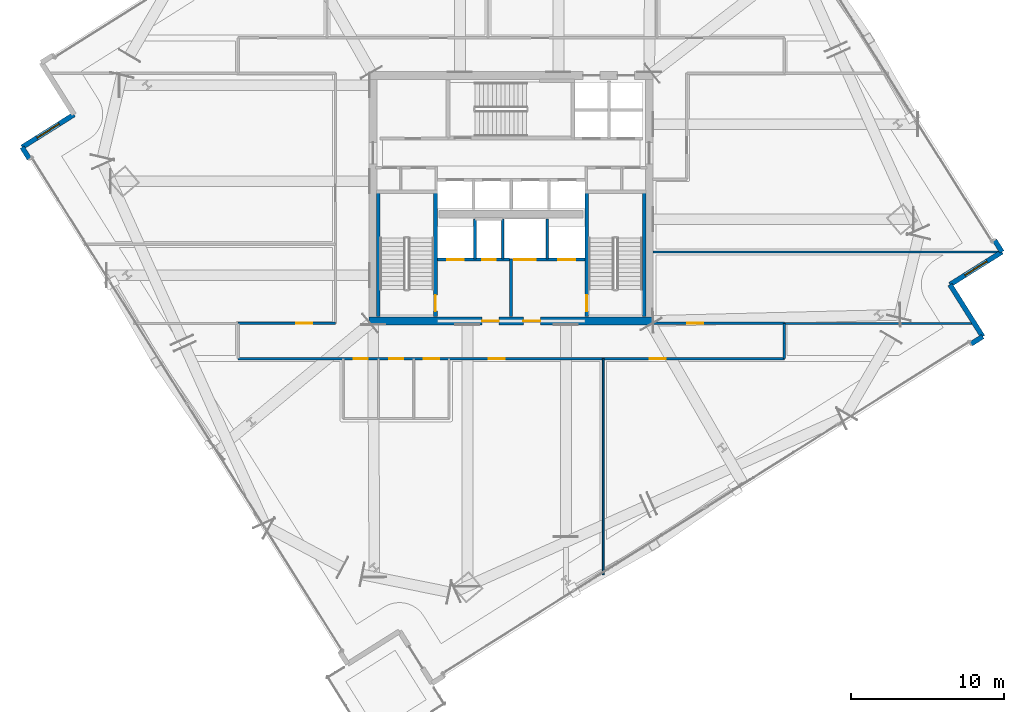
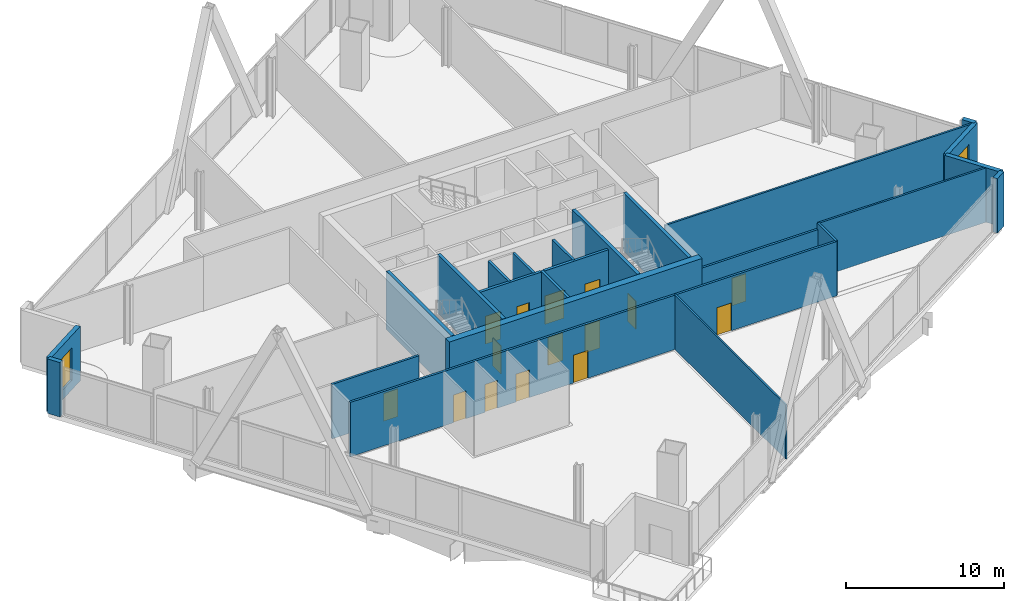
# One storey, part 22 of 29: 24 walls, 15 doors, 2 windows, 17 openings.
"""IFC4 building model written with IfcOpenShell, lengths in metres."""

from ifc_helpers import new_model, si_unit, direction, frame, frame_2d, origin, place, context, subcontext, project, spatial, rectangle, extrude, material, layer, layer_set, type_object, element, fill, save


model = new_model("IFC4")

# Units and contexts
model_context = context("Model", 3, precision=1e-05, world=origin(), true_north=direction((0.0, 1.0)))
body_context = subcontext(model_context, "Body", "Model", "MODEL_VIEW")
ifc_project = project(units=[si_unit("LENGTHUNIT", "METRE"), si_unit("AREAUNIT", "SQUARE_METRE"), si_unit("VOLUMEUNIT", "CUBIC_METRE"), si_unit("PLANEANGLEUNIT", "RADIAN"), si_unit("MASSUNIT", "GRAM", prefix="KILO")], contexts=[model_context])

# Site, building, storey
site_placement = place(None, origin())
site = spatial("IfcSite", under=ifc_project, at=site_placement, CompositionType="ELEMENT")
building_placement = place(site_placement, origin())
building = spatial("IfcBuilding", under=site, at=building_placement, Name="Haldenkirk Collegiate Tower", CompositionType="ELEMENT")
storey_placement = place(building_placement, frame((0.0, 0.0, 136.199951171875)))
storey = spatial("IfcBuildingStorey", under=building, at=storey_placement, Name="L33", CompositionType="ELEMENT", Elevation=136.199951171875)

# Wall, openings, doors
ifc_material_1 = material(Name="Concrete f'c 55 MPa", Category="concrete")
ifc_layer_1 = layer(ifc_material_1, 0.5)
ifc_layer_set_1 = layer_set([ifc_layer_1], Name="Concrete f'c 55 MPa")
wall_type_1 = type_object("IfcWallType", Name="WL-CORE-500", PredefinedType="SHEAR", material=ifc_layer_set_1)
wall_1_placement = place(storey_placement, frame((26.75, 18.0, 0.0), z_axis=(0.0, 0.0, 1.0), x_axis=(1.0, 0.0, 0.0)))
wall_1 = element("IfcWall", 1, at=wall_1_placement, inside=storey, type_object=wall_type_1, Name="L33 central core shear wall S", PredefinedType="SHEAR", context=body_context, shape_type="SweptSolid", body=[
    extrude(rectangle(XDim=18.5, YDim=0.5, at=frame_2d((9.25, 0.0))), origin(), (0.0, 0.0, 1.0), 4.5),
])
opening_1_placement = place(wall_1_placement, frame((7.35009765625, 0.0, 0.0)))
opening_1 = element("IfcOpeningElement", 2, at=opening_1_placement, cuts=wall_1, Name="Opening D-02", PredefinedType="OPENING", context=body_context, shape_type="SweptSolid", body=[
    extrude(rectangle(XDim=1.10009765625, YDim=2.14990234375, at=frame_2d((0.550048828125, 1.074951171875))), frame((0.0, 0.260009765625, 0.0), z_axis=(0.0, -1.0, 0.0), x_axis=(1.0, 0.0, 0.0)), (0.0, 0.0, 1.0), 0.52001953125),
])
opening_2_placement = place(wall_1_placement, frame((10.050048828125, 0.0, 0.0)))
opening_2 = element("IfcOpeningElement", 3, at=opening_2_placement, cuts=wall_1, Name="Opening D-02", PredefinedType="OPENING", context=body_context, shape_type="SweptSolid", body=[
    extrude(rectangle(XDim=1.10009765625, YDim=2.14990234375, at=frame_2d((0.550048828125, 1.074951171875))), frame((0.0, 0.260009765625, 0.0), z_axis=(0.0, -1.0, 0.0), x_axis=(1.0, 0.0, 0.0)), (0.0, 0.0, 1.0), 0.52001953125),
])
ifc_material_2 = material(Name="Galvanized fire-rated hollow steel door", Category="steel")
ifc_layer_2 = layer(ifc_material_2, 0.06005859375)
ifc_layer_set_2 = layer_set([ifc_layer_2], Name="Galvanized fire-rated hollow steel door")
door_type_1 = type_object("IfcDoorType", Name="DR-STAIR-FD90-1100", OperationType="NOTDEFINED", PredefinedType="DOOR", material=ifc_layer_set_2)
door_1_placement = place(opening_1_placement, origin())
door_1 = element("IfcDoor", 4, at=door_1_placement, inside=storey, type_object=door_type_1, Name="L33 Firefighting Lobby 1 door", OperationType="SINGLE_SWING_RIGHT", OverallHeight=2.14990234375, OverallWidth=1.10009765625, PredefinedType="DOOR", context=body_context, shape_type="SweptSolid", body=[
    extrude(rectangle(XDim=1.10009765625, YDim=2.14990234375, at=frame_2d((0.550048828125, 1.074951171875))), frame((0.0, 0.02490234375, 0.0), z_axis=(0.0, -1.0, 0.0), x_axis=(1.0, 0.0, 0.0)), (0.0, 0.0, 1.0), 0.050048828125),
])
fill(opening_1, door_1)
door_2_placement = place(opening_2_placement, origin())
door_2 = element("IfcDoor", 5, at=door_2_placement, inside=storey, type_object=door_type_1, Name="L33 Firefighting Lobby 2 door", OperationType="SINGLE_SWING_LEFT", OverallHeight=2.14990234375, OverallWidth=1.10009765625, PredefinedType="DOOR", context=body_context, shape_type="SweptSolid", body=[
    extrude(rectangle(XDim=1.10009765625, YDim=2.14990234375, at=frame_2d((0.550048828125, 1.074951171875))), frame((0.0, 0.02490234375, 0.0), z_axis=(0.0, -1.0, 0.0), x_axis=(1.0, 0.0, 0.0)), (0.0, 0.0, 1.0), 0.050048828125),
])
fill(opening_2, door_2)

# Walls
ifc_material_3 = material(Name="Precast concrete f'c 40 MPa", Category="concrete")
ifc_layer_3 = layer(ifc_material_3, 0.320068359375)
ifc_layer_set_3 = layer_set([ifc_layer_3], Name="Precast concrete f'c 40 MPa")
wall_type_2 = type_object("IfcWallType", Name="WL-EXT-TWR-320", PredefinedType="STANDARD", material=ifc_layer_set_3)
wall_2_placement = place(storey_placement, frame((66.728271484375, 16.98828125, 0.0), z_axis=(0.0, 0.0, 1.0), x_axis=(-0.846210185892, -0.532849248186, 0.0)))
element("IfcWall", 6, at=wall_2_placement, inside=storey, type_object=wall_type_2, Name="L33 precast corner pier SL", PredefinedType="STANDARD", context=body_context, shape_type="SweptSolid", body=[
    extrude(rectangle(XDim=0.89990234375, YDim=0.320068359375, at=frame_2d((0.449951171875, 0.0))), origin(), (0.0, 0.0, 1.0), 4.2099609375),
])
wall_3_placement = place(storey_placement, frame((64.5966796875, 20.373046875, 0.0), z_axis=(0.0, 0.0, 1.0), x_axis=(0.532892588268, -0.846182893569, 0.0)))
element("IfcWall", 7, at=wall_3_placement, inside=storey, type_object=wall_type_2, Name="L33 bronze precast notch wall 02", PredefinedType="STANDARD", context=body_context, shape_type="SweptSolid", body=[
    extrude(rectangle(XDim=4.0, YDim=0.320068359375, at=frame_2d((2.0, 0.0))), origin(), (0.0, 0.0, 1.0), 4.2099609375),
])

# Wall, opening, window
wall_4_placement = place(storey_placement, frame((67.981689453125, 22.504638671875, 0.0), z_axis=(0.0, 0.0, 1.0), x_axis=(-0.846200224481, -0.532865067432, 0.0)))
wall_4 = element("IfcWall", 8, at=wall_4_placement, inside=storey, type_object=wall_type_2, Name="L33 bronze precast notch wall 03", PredefinedType="STANDARD", context=body_context, shape_type="SweptSolid", body=[
    extrude(rectangle(XDim=4.000244140625, YDim=0.320068359375, at=frame_2d((2.0, 0.0))), origin(), (0.0, 0.0, 1.0), 4.2099609375),
])
opening_3_placement = place(wall_4_placement, frame((1.14990234375, 0.0, 0.75)))
opening_3 = element("IfcOpeningElement", 9, at=opening_3_placement, cuts=wall_4, Name="Opening W-09", PredefinedType="OPENING", context=body_context, shape_type="SweptSolid", body=[
    extrude(rectangle(XDim=1.699951171875, YDim=2.5, at=frame_2d((0.85009765625, 1.25))), frame((0.0, 0.169921875, 0.0), z_axis=(0.0, -1.0, 0.0), x_axis=(1.0, 0.0, 0.0)), (0.0, 0.0, 1.0), 0.340087890625),
])
ifc_material_4 = material(Name="Low-E argon triple insulating glass", Category="glass")
ifc_layer_4 = layer(ifc_material_4, 0.090087890625)
ifc_layer_set_4 = layer_set([ifc_layer_4], Name="Low-E argon triple insulating glass")
window_type = type_object("IfcWindowType", Name="WN-SG-1700X2500", PartitioningType="SINGLE_PANEL", PredefinedType="WINDOW", material=ifc_layer_set_4)
window_1_placement = place(opening_3_placement, origin())
window_1 = element("IfcWindow", 10, at=window_1_placement, inside=storey, type_object=window_type, Name="L33 precast-frame academic window 2", OverallHeight=2.5, OverallWidth=1.699951171875, PartitioningType="SINGLE_PANEL", PredefinedType="WINDOW", context=body_context, shape_type="SweptSolid", body=[
    extrude(rectangle(XDim=1.699951171875, YDim=2.5, at=frame_2d((0.85009765625, 1.25))), frame((0.0, 0.030029296875, 0.0), z_axis=(0.0, -1.0, 0.0), x_axis=(1.0, 0.0, 0.0)), (0.0, 0.0, 1.0), 0.06005859375),
])
fill(opening_3, window_1)

# Wall
wall_5_placement = place(storey_placement, frame((67.501953125, 23.26611328125, 0.0), z_axis=(0.0, 0.0, 1.0), x_axis=(0.533043482158, -0.846087847761, 0.0)))
element("IfcWall", 11, at=wall_5_placement, inside=storey, type_object=wall_type_2, Name="L33 precast corner pier ER", PredefinedType="STANDARD", context=body_context, shape_type="SweptSolid", body=[
    extrude(rectangle(XDim=0.89990234375, YDim=0.320068359375, at=frame_2d((0.449951171875, 0.0))), origin(), (0.0, 0.0, 1.0), 4.2099609375),
])

# Wall, opening, window
wall_6_placement = place(storey_placement, frame((4.125, 29.326171875, 0.0), z_axis=(0.0, 0.0, 1.0), x_axis=(0.846210415312, 0.532848883848, 0.0)))
wall_6 = element("IfcWall", 12, at=wall_6_placement, inside=storey, type_object=wall_type_2, Name="L33 bronze precast notch wall 09", PredefinedType="STANDARD", context=body_context, shape_type="SweptSolid", body=[
    extrude(rectangle(XDim=4.0, YDim=0.320068359375, at=frame_2d((2.0, 0.0))), origin(), (0.0, 0.0, 1.0), 4.2099609375),
])
opening_4_placement = place(wall_6_placement, frame((1.14990234375, 0.0, 0.75)))
opening_4 = element("IfcOpeningElement", 13, at=opening_4_placement, cuts=wall_6, Name="Opening W-09", PredefinedType="OPENING", context=body_context, shape_type="SweptSolid", body=[
    extrude(rectangle(XDim=1.699951171875, YDim=2.5, at=frame_2d((0.85009765625, 1.25))), frame((0.0, 0.169921875, 0.0), z_axis=(0.0, -1.0, 0.0), x_axis=(1.0, 0.0, 0.0)), (0.0, 0.0, 1.0), 0.340087890625),
])
window_2_placement = place(opening_4_placement, origin())
window_2 = element("IfcWindow", 14, at=window_2_placement, inside=storey, type_object=window_type, Name="L33 precast-frame academic window 8", OverallHeight=2.5, OverallWidth=1.699951171875, PartitioningType="SINGLE_PANEL", PredefinedType="WINDOW", context=body_context, shape_type="SweptSolid", body=[
    extrude(rectangle(XDim=1.699951171875, YDim=2.5, at=frame_2d((0.85009765625, 1.25))), frame((0.0, 0.030029296875, 0.0), z_axis=(0.0, -1.0, 0.0), x_axis=(1.0, 0.0, 0.0)), (0.0, 0.0, 1.0), 0.06005859375),
])
fill(opening_4, window_2)

# Wall
wall_7_placement = place(storey_placement, frame((4.6044921875, 28.564453125, 0.0), z_axis=(0.0, 0.0, 1.0), x_axis=(-0.532726937179, 0.846287191445, 0.0)))
element("IfcWall", 15, at=wall_7_placement, inside=storey, type_object=wall_type_2, Name="L33 precast corner pier WR", PredefinedType="STANDARD", context=body_context, shape_type="SweptSolid", body=[
    extrude(rectangle(XDim=0.900146484375, YDim=0.320068359375, at=frame_2d((0.4501953125, 0.0))), origin(), (0.0, 0.0, 1.0), 4.2099609375),
])

# Wall, openings, doors
ifc_material_5 = material(Name="Acoustic fire-rated gypsum partition", Category="concrete")
ifc_layer_5 = layer(ifc_material_5, 0.159912109375)
ifc_layer_set_5 = layer_set([ifc_layer_5], Name="Acoustic fire-rated gypsum partition")
wall_type_3 = type_object("IfcWallType", Name="WL-INT-CORR-160", PredefinedType="PARTITIONING", material=ifc_layer_set_5)
wall_8_placement = place(storey_placement, frame((18.199951171875, 15.550048828125, 0.0), z_axis=(0.0, 0.0, 1.0), x_axis=(1.0, 0.0, 0.0)))
wall_8 = element("IfcWall", 16, at=wall_8_placement, inside=storey, type_object=wall_type_3, Name="L33 interior partition IW-L33-CS", PredefinedType="PARTITIONING", context=body_context, shape_type="SweptSolid", body=[
    extrude(rectangle(XDim=35.60009765625, YDim=0.159912109375, at=frame_2d((17.800048828125, 0.0))), origin(), (0.0, 0.0, 1.0), 4.2099609375),
])
opening_5_placement = place(wall_8_placement, frame((7.550048828125, 0.0, 0.0)))
opening_5 = element("IfcOpeningElement", 17, at=opening_5_placement, cuts=wall_8, Name="Opening D-13", PredefinedType="OPENING", context=body_context, shape_type="SweptSolid", body=[
    extrude(rectangle(XDim=0.89990234375, YDim=2.14990234375, at=frame_2d((0.449951171875, 1.074951171875))), frame((0.0, 0.08984375, 0.0), z_axis=(0.0, -1.0, 0.0), x_axis=(1.0, 0.0, 0.0)), (0.0, 0.0, 1.0), 0.179931640625),
])
opening_6_placement = place(wall_8_placement, frame((9.85009765625, 0.0, 0.0)))
opening_6 = element("IfcOpeningElement", 18, at=opening_6_placement, cuts=wall_8, Name="Opening D-13", PredefinedType="OPENING", context=body_context, shape_type="SweptSolid", body=[
    extrude(rectangle(XDim=0.89990234375, YDim=2.14990234375, at=frame_2d((0.449951171875, 1.074951171875))), frame((0.0, 0.08984375, 0.0), z_axis=(0.0, -1.0, 0.0), x_axis=(1.0, 0.0, 0.0)), (0.0, 0.0, 1.0), 0.179931640625),
])
opening_7_placement = place(wall_8_placement, frame((12.10009765625, 0.0, 0.0)))
opening_7 = element("IfcOpeningElement", 19, at=opening_7_placement, cuts=wall_8, Name="Opening D-14", PredefinedType="OPENING", context=body_context, shape_type="SweptSolid", body=[
    extrude(rectangle(XDim=1.0, YDim=2.14990234375, at=frame_2d((0.5, 1.074951171875))), frame((0.0, 0.08984375, 0.0), z_axis=(0.0, -1.0, 0.0), x_axis=(1.0, 0.0, 0.0)), (0.0, 0.0, 1.0), 0.179931640625),
])
opening_8_placement = place(wall_8_placement, frame((16.3349609375, 0.0, 0.0)))
opening_8 = element("IfcOpeningElement", 20, at=opening_8_placement, cuts=wall_8, Name="Opening D-09", PredefinedType="OPENING", context=body_context, shape_type="SweptSolid", body=[
    extrude(rectangle(XDim=1.050048828125, YDim=2.14990234375, at=frame_2d((0.52490234375, 1.074951171875))), frame((0.0, 0.08984375, 0.0), z_axis=(0.0, -1.0, 0.0), x_axis=(1.0, 0.0, 0.0)), (0.0, 0.0, 1.0), 0.179931640625),
])
opening_9_placement = place(wall_8_placement, frame((26.824951171875, 0.0, 0.0)))
opening_9 = element("IfcOpeningElement", 21, at=opening_9_placement, cuts=wall_8, Name="Opening D-09", PredefinedType="OPENING", context=body_context, shape_type="SweptSolid", body=[
    extrude(rectangle(XDim=1.050048828125, YDim=2.14990234375, at=frame_2d((0.52490234375, 1.074951171875))), frame((0.0, 0.08984375, 0.0), z_axis=(0.0, -1.0, 0.0), x_axis=(1.0, 0.0, 0.0)), (0.0, 0.0, 1.0), 0.179931640625),
])
ifc_material_6 = material(Name="Solid-core architectural oak fire door", Category="wood")
ifc_layer_6 = layer(ifc_material_6, 0.06005859375)
ifc_layer_set_6 = layer_set([ifc_layer_6], Name="Solid-core architectural oak fire door")
door_type_2 = type_object("IfcDoorType", Name="DR-INT-ACC-1000", OperationType="NOTDEFINED", PredefinedType="DOOR", material=ifc_layer_set_6)
door_3_placement = place(opening_7_placement, origin())
door_3 = element("IfcDoor", 22, at=door_3_placement, inside=storey, type_object=door_type_2, Name="L33 Accessible WC door", OperationType="SINGLE_SWING_LEFT", OverallHeight=2.14990234375, OverallWidth=1.0, PredefinedType="DOOR", context=body_context, shape_type="SweptSolid", body=[
    extrude(rectangle(XDim=1.0, YDim=2.14990234375, at=frame_2d((0.5, 1.074951171875))), frame((0.0, 0.02490234375, 0.0), z_axis=(0.0, -1.0, 0.0), x_axis=(1.0, 0.0, 0.0)), (0.0, 0.0, 1.0), 0.050048828125),
])
fill(opening_7, door_3)
ifc_layer_7 = layer(ifc_material_6, 0.06005859375)
ifc_layer_set_7 = layer_set([ifc_layer_7], Name="Solid-core architectural oak fire door")
door_type_3 = type_object("IfcDoorType", Name="DR-INT-FD60-1050", OperationType="NOTDEFINED", PredefinedType="DOOR", material=ifc_layer_set_7)
door_4_placement = place(opening_8_placement, origin())
door_4 = element("IfcDoor", 23, at=door_4_placement, inside=storey, type_object=door_type_3, Name="L33 Sky-Garden Botanical Conservatory door", OperationType="SINGLE_SWING_RIGHT", OverallHeight=2.14990234375, OverallWidth=1.050048828125, PredefinedType="DOOR", context=body_context, shape_type="SweptSolid", body=[
    extrude(rectangle(XDim=1.050048828125, YDim=2.14990234375, at=frame_2d((0.52490234375, 1.074951171875))), frame((0.0, 0.02490234375, 0.0), z_axis=(0.0, -1.0, 0.0), x_axis=(1.0, 0.0, 0.0)), (0.0, 0.0, 1.0), 0.050048828125),
])
fill(opening_8, door_4)
door_5_placement = place(opening_9_placement, origin())
door_5 = element("IfcDoor", 24, at=door_5_placement, inside=storey, type_object=door_type_3, Name="L33 Rare Folio Vault 2 door", OperationType="SINGLE_SWING_LEFT", OverallHeight=2.14990234375, OverallWidth=1.050048828125, PredefinedType="DOOR", context=body_context, shape_type="SweptSolid", body=[
    extrude(rectangle(XDim=1.050048828125, YDim=2.14990234375, at=frame_2d((0.52490234375, 1.074951171875))), frame((0.0, 0.02490234375, 0.0), z_axis=(0.0, -1.0, 0.0), x_axis=(1.0, 0.0, 0.0)), (0.0, 0.0, 1.0), 0.050048828125),
])
fill(opening_9, door_5)
ifc_layer_8 = layer(ifc_material_6, 0.06005859375)
ifc_layer_set_8 = layer_set([ifc_layer_8], Name="Solid-core architectural oak fire door")
door_type_4 = type_object("IfcDoorType", Name="DR-INT-STD-900", OperationType="NOTDEFINED", PredefinedType="DOOR", material=ifc_layer_set_8)
door_6_placement = place(opening_5_placement, origin())
door_6 = element("IfcDoor", 25, at=door_6_placement, inside=storey, type_object=door_type_4, Name="L33 Male WC door", OperationType="SINGLE_SWING_LEFT", OverallHeight=2.14990234375, OverallWidth=0.89990234375, PredefinedType="DOOR", context=body_context, shape_type="SweptSolid", body=[
    extrude(rectangle(XDim=0.89990234375, YDim=2.14990234375, at=frame_2d((0.449951171875, 1.074951171875))), frame((0.0, 0.02490234375, 0.0), z_axis=(0.0, -1.0, 0.0), x_axis=(1.0, 0.0, 0.0)), (0.0, 0.0, 1.0), 0.050048828125),
])
fill(opening_5, door_6)
door_7_placement = place(opening_6_placement, origin())
door_7 = element("IfcDoor", 26, at=door_7_placement, inside=storey, type_object=door_type_4, Name="L33 Female WC door", OperationType="SINGLE_SWING_RIGHT", OverallHeight=2.14990234375, OverallWidth=0.89990234375, PredefinedType="DOOR", context=body_context, shape_type="SweptSolid", body=[
    extrude(rectangle(XDim=0.89990234375, YDim=2.14990234375, at=frame_2d((0.449951171875, 1.074951171875))), frame((0.0, 0.02490234375, 0.0), z_axis=(0.0, -1.0, 0.0), x_axis=(1.0, 0.0, 0.0)), (0.0, 0.0, 1.0), 0.050048828125),
])
fill(opening_6, door_7)

# Wall, opening, door
wall_9_placement = place(storey_placement, frame((18.199951171875, 17.85009765625, 0.0), z_axis=(0.0, 0.0, 1.0), x_axis=(1.0, 0.0, 0.0)))
wall_9 = element("IfcWall", 27, at=wall_9_placement, inside=storey, type_object=wall_type_3, Name="L33 interior partition IW-L33-CSW", PredefinedType="PARTITIONING", context=body_context, shape_type="SweptSolid", body=[
    extrude(rectangle(XDim=6.35009765625, YDim=0.159912109375, at=frame_2d((3.175048828125, 0.0))), origin(), (0.0, 0.0, 1.0), 4.2099609375),
])
opening_10_placement = place(wall_9_placement, frame((3.79296875, 0.0, 0.0)))
opening_10 = element("IfcOpeningElement", 28, at=opening_10_placement, cuts=wall_9, Name="Opening D-09", PredefinedType="OPENING", context=body_context, shape_type="SweptSolid", body=[
    extrude(rectangle(XDim=1.050048828125, YDim=2.14990234375, at=frame_2d((0.52490234375, 1.074951171875))), frame((0.0, 0.08984375, 0.0), z_axis=(0.0, -1.0, 0.0), x_axis=(1.0, 0.0, 0.0)), (0.0, 0.0, 1.0), 0.179931640625),
])
door_8_placement = place(opening_10_placement, origin())
door_8 = element("IfcDoor", 29, at=door_8_placement, inside=storey, type_object=door_type_3, Name="L33 Special Collections Archive 7 door", OperationType="SINGLE_SWING_RIGHT", OverallHeight=2.14990234375, OverallWidth=1.050048828125, PredefinedType="DOOR", context=body_context, shape_type="SweptSolid", body=[
    extrude(rectangle(XDim=1.050048828125, YDim=2.14990234375, at=frame_2d((0.52490234375, 1.074951171875))), frame((0.0, 0.02490234375, 0.0), z_axis=(0.0, -1.0, 0.0), x_axis=(1.0, 0.0, 0.0)), (0.0, 0.0, 1.0), 0.050048828125),
])
fill(opening_10, door_8)

wall_10_placement = place(storey_placement, frame((45.25, 17.85009765625, 0.0), z_axis=(0.0, 0.0, 1.0), x_axis=(1.0, 0.0, 0.0)))
wall_10 = element("IfcWall", 30, at=wall_10_placement, inside=storey, type_object=wall_type_3, Name="L33 interior partition IW-L33-CSE", PredefinedType="PARTITIONING", context=body_context, shape_type="SweptSolid", body=[
    extrude(rectangle(XDim=8.550048828125, YDim=0.159912109375, at=frame_2d((4.27490234375, 0.0))), origin(), (0.0, 0.0, 1.0), 3.748046875),
])
opening_11_placement = place(wall_10_placement, frame((2.2109375, 0.0, 0.0)))
opening_11 = element("IfcOpeningElement", 31, at=opening_11_placement, cuts=wall_10, Name="Opening D-09", PredefinedType="OPENING", context=body_context, shape_type="SweptSolid", body=[
    extrude(rectangle(XDim=1.050048828125, YDim=2.14990234375, at=frame_2d((0.52490234375, 1.074951171875))), frame((0.0, 0.08984375, 0.0), z_axis=(0.0, -1.0, 0.0), x_axis=(1.0, 0.0, 0.0)), (0.0, 0.0, 1.0), 0.179931640625),
])
door_9_placement = place(opening_11_placement, origin())
door_9 = element("IfcDoor", 32, at=door_9_placement, inside=storey, type_object=door_type_3, Name="L33 Treaty Archive Store 9 door", OperationType="SINGLE_SWING_RIGHT", OverallHeight=2.14990234375, OverallWidth=1.050048828125, PredefinedType="DOOR", context=body_context, shape_type="SweptSolid", body=[
    extrude(rectangle(XDim=1.050048828125, YDim=2.14990234375, at=frame_2d((0.52490234375, 1.074951171875))), frame((0.0, 0.02490234375, 0.0), z_axis=(0.0, -1.0, 0.0), x_axis=(1.0, 0.0, 0.0)), (0.0, 0.0, 1.0), 0.050048828125),
])
fill(opening_11, door_9)

# Walls
wall_11_placement = place(storey_placement, frame((53.800048828125, 15.550048828125, 0.0), z_axis=(0.0, 0.0, 1.0), x_axis=(0.0, 1.0, 0.0)))
element("IfcWall", 33, at=wall_11_placement, inside=storey, type_object=wall_type_3, Name="L33 interior partition IW-L33-CSR", PredefinedType="PARTITIONING", context=body_context, shape_type="SweptSolid", body=[
    extrude(rectangle(XDim=2.300048828125, YDim=0.159912109375, at=frame_2d((1.14990234375, 0.0))), origin(), (0.0, 0.0, 1.0), 4.2099609375),
])
ifc_layer_9 = layer(ifc_material_5, 0.139892578125)
ifc_layer_set_9 = layer_set([ifc_layer_9], Name="Acoustic fire-rated gypsum partition")
wall_type_4 = type_object("IfcWallType", Name="WL-INT-DIV-140", PredefinedType="PARTITIONING", material=ifc_layer_set_9)
wall_12_placement = place(storey_placement, frame((53.800048828125, 17.85009765625, 0.0), z_axis=(0.0, 0.0, 1.0), x_axis=(1.0, 0.0, 0.0)))
element("IfcWall", 34, at=wall_12_placement, inside=storey, type_object=wall_type_4, Name="L33 interior partition IW-L33-BES", PredefinedType="PARTITIONING", context=body_context, shape_type="SweptSolid", body=[
    extrude(rectangle(XDim=12.33837890625, YDim=0.139892578125, at=frame_2d((6.169189453125, 0.0))), origin(), (0.0, 0.0, 1.0), 4.2099609375),
])
wall_13_placement = place(storey_placement, frame((45.25, 22.5, 0.0), z_axis=(0.0, 0.0, 1.0), x_axis=(1.0, 0.0, 0.0)))
element("IfcWall", 35, at=wall_13_placement, inside=storey, type_object=wall_type_4, Name="L33 interior partition IW-L33-RE1", PredefinedType="PARTITIONING", context=body_context, shape_type="SweptSolid", body=[
    extrude(rectangle(XDim=22.649169921875, YDim=0.139892578125, at=frame_2d((11.32470703125, 0.0))), origin(), (0.0, 0.0, 1.0), 4.2099609375),
])
ifc_material_7 = material(Name="Fire-rated gypsum shaftboard assembly", Category="concrete")
ifc_layer_10 = layer(ifc_material_7, 0.179931640625)
ifc_layer_set_10 = layer_set([ifc_layer_10], Name="Fire-rated gypsum shaftboard assembly")
wall_type_5 = type_object("IfcWallType", Name="WL-INT-SHAFT-180", PredefinedType="PARTITIONING", material=ifc_layer_set_10)
for number, where, z_axis, x_axis, name in (
    (36, (33.64990234375, 22.050048828125, 0.0), (0.0, 0.0, 1.0), (0.0, 1.0, 0.0), "L33 interior partition IW-L33-FL1E"),
    (37, (35.449951171875, 22.050048828125, 0.0), (0.0, 0.0, 1.0), (0.0, 1.0, 0.0), "L33 interior partition IW-L33-GL1W"),
    (38, (38.35009765625, 22.050048828125, 0.0), (0.0, 0.0, 1.0), (0.0, 1.0, 0.0), "L33 interior partition IW-L33-GL1E"),
):
    element("IfcWall", number, at=place(storey_placement, frame(where, z_axis=z_axis, x_axis=x_axis)), inside=storey, type_object=wall_type_5, Name=name, PredefinedType="PARTITIONING", context=body_context, shape_type="SweptSolid", body=[
        extrude(rectangle(XDim=2.599853515625, YDim=0.179931640625, at=frame_2d((1.2998046875, 0.0))), origin(), (0.0, 0.0, 1.0), 4.2099609375),
    ])
ifc_layer_11 = layer(ifc_material_7, 0.199951171875)
ifc_layer_set_11 = layer_set([ifc_layer_11], Name="Fire-rated gypsum shaftboard assembly")
wall_type_6 = type_object("IfcWallType", Name="WL-INT-SHAFT-200", PredefinedType="PARTITIONING", material=ifc_layer_set_11)
wall_14_placement = place(storey_placement, frame((36.0, 18.280029296875, 0.0), z_axis=(0.0, 0.0, 1.0), x_axis=(0.0, 1.0, 0.0)))
element("IfcWall", 39, at=wall_14_placement, inside=storey, type_object=wall_type_6, Name="L33 interior partition IW-L33-FFLM", PredefinedType="PARTITIONING", context=body_context, shape_type="SweptSolid", body=[
    extrude(rectangle(XDim=3.77001953125, YDim=0.199951171875, at=frame_2d((1.885009765625, 0.0))), origin(), (0.0, 0.0, 1.0), 4.2099609375),
])

# Wall, openings, doors
wall_15_placement = place(storey_placement, frame((31.18994140625, 22.0, 0.0), z_axis=(0.0, 0.0, 1.0), x_axis=(1.0, 0.0, 0.0)))
wall_15 = element("IfcWall", 40, at=wall_15_placement, inside=storey, type_object=wall_type_6, Name="L33 interior partition IW-L33-FFL1N", PredefinedType="PARTITIONING", context=body_context, shape_type="SweptSolid", body=[
    extrude(rectangle(XDim=4.68994140625, YDim=0.199951171875, at=frame_2d((2.344970703125, 0.0))), origin(), (0.0, 0.0, 1.0), 4.2099609375),
])
opening_12_placement = place(wall_15_placement, frame((2.909912109375, 0.0, 0.0)))
opening_12 = element("IfcOpeningElement", 41, at=opening_12_placement, cuts=wall_15, Name="Opening D-06", PredefinedType="OPENING", context=body_context, shape_type="SweptSolid", body=[
    extrude(rectangle(XDim=0.89990234375, YDim=2.14990234375, at=frame_2d((0.449951171875, 1.074951171875))), frame((0.0, 0.10986328125, 0.0), z_axis=(0.0, -1.0, 0.0), x_axis=(1.0, 0.0, 0.0)), (0.0, 0.0, 1.0), 0.219970703125),
])
opening_13_placement = place(wall_15_placement, frame((0.635009765625, 0.0, 0.0)))
opening_13 = element("IfcOpeningElement", 42, at=opening_13_placement, cuts=wall_15, Name="Opening LD-12", PredefinedType="OPENING", context=body_context, shape_type="SweptSolid", body=[
    extrude(rectangle(XDim=1.10009765625, YDim=2.14990234375, at=frame_2d((0.550048828125, 1.074951171875))), frame((0.0, 0.10986328125, 0.0), z_axis=(0.0, -1.0, 0.0), x_axis=(1.0, 0.0, 0.0)), (0.0, 0.0, 1.0), 0.219970703125),
])
ifc_layer_12 = layer(ifc_material_2, 0.06005859375)
ifc_layer_set_12 = layer_set([ifc_layer_12], Name="Galvanized fire-rated hollow steel door")
door_type_5 = type_object("IfcDoorType", Name="DR-INT-FD90-900", OperationType="NOTDEFINED", PredefinedType="DOOR", material=ifc_layer_set_12)
door_10_placement = place(opening_12_placement, origin())
door_10 = element("IfcDoor", 43, at=door_10_placement, inside=storey, type_object=door_type_5, Name="L33 electrical riser door", OperationType="SINGLE_SWING_RIGHT", OverallHeight=2.14990234375, OverallWidth=0.89990234375, PredefinedType="DOOR", context=body_context, shape_type="SweptSolid", body=[
    extrude(rectangle(XDim=0.89990234375, YDim=2.14990234375, at=frame_2d((0.449951171875, 1.074951171875))), frame((0.0, 0.02490234375, 0.0), z_axis=(0.0, -1.0, 0.0), x_axis=(1.0, 0.0, 0.0)), (0.0, 0.0, 1.0), 0.050048828125),
])
fill(opening_12, door_10)
ifc_material_8 = material(Name="Brushed architectural stainless steel", Category="steel")
ifc_layer_13 = layer(ifc_material_8, 0.06005859375)
ifc_layer_set_13 = layer_set([ifc_layer_13], Name="Brushed architectural stainless steel")
door_type_6 = type_object("IfcDoorType", Name="LD-FIRE-1100", OperationType="NOTDEFINED", PredefinedType="DOOR", material=ifc_layer_set_13)
door_11_placement = place(opening_13_placement, origin())
door_11 = element("IfcDoor", 44, at=door_11_placement, inside=storey, type_object=door_type_6, Name="L33 Elevator FL1 sliding landing door", OperationType="SLIDING_TO_LEFT", OverallHeight=2.14990234375, OverallWidth=1.10009765625, PredefinedType="DOOR", context=body_context, shape_type="SweptSolid", body=[
    extrude(rectangle(XDim=1.10009765625, YDim=2.14990234375, at=frame_2d((0.550048828125, 1.074951171875))), frame((0.0, 0.02490234375, 0.0), z_axis=(0.0, -1.0, 0.0), x_axis=(1.0, 0.0, 0.0)), (0.0, 0.0, 1.0), 0.050048828125),
])
fill(opening_13, door_11)

wall_16_placement = place(storey_placement, frame((36.1201171875, 22.0, 0.0), z_axis=(0.0, 0.0, 1.0), x_axis=(1.0, 0.0, 0.0)))
wall_16 = element("IfcWall", 45, at=wall_16_placement, inside=storey, type_object=wall_type_6, Name="L33 interior partition IW-L33-FFL2N", PredefinedType="PARTITIONING", context=body_context, shape_type="SweptSolid", body=[
    extrude(rectangle(XDim=4.68994140625, YDim=0.199951171875, at=frame_2d((2.344970703125, 0.0))), origin(), (0.0, 0.0, 1.0), 4.2099609375),
])
opening_14_placement = place(wall_16_placement, frame((2.955078125, 0.0, 0.0)))
opening_14 = element("IfcOpeningElement", 46, at=opening_14_placement, cuts=wall_16, Name="Opening LD-12", PredefinedType="OPENING", context=body_context, shape_type="SweptSolid", body=[
    extrude(rectangle(XDim=1.10009765625, YDim=2.14990234375, at=frame_2d((0.550048828125, 1.074951171875))), frame((0.0, 0.10986328125, 0.0), z_axis=(0.0, -1.0, 0.0), x_axis=(1.0, 0.0, 0.0)), (0.0, 0.0, 1.0), 0.219970703125),
])
opening_15_placement = place(wall_16_placement, frame((0.080078125, 0.0, 0.0)))
opening_15 = element("IfcOpeningElement", 47, at=opening_15_placement, cuts=wall_16, Name="Opening LD-13", PredefinedType="OPENING", context=body_context, shape_type="SweptSolid", body=[
    extrude(rectangle(XDim=1.39990234375, YDim=2.199951171875, at=frame_2d((0.699951171875, 1.10009765625))), frame((0.0, 0.10986328125, 0.0), z_axis=(0.0, -1.0, 0.0), x_axis=(1.0, 0.0, 0.0)), (0.0, 0.0, 1.0), 0.219970703125),
])
door_12_placement = place(opening_14_placement, origin())
door_12 = element("IfcDoor", 48, at=door_12_placement, inside=storey, type_object=door_type_6, Name="L33 Elevator FL2 sliding landing door", OperationType="SLIDING_TO_LEFT", OverallHeight=2.14990234375, OverallWidth=1.10009765625, PredefinedType="DOOR", context=body_context, shape_type="SweptSolid", body=[
    extrude(rectangle(XDim=1.10009765625, YDim=2.14990234375, at=frame_2d((0.550048828125, 1.074951171875))), frame((0.0, 0.02490234375, 0.0), z_axis=(0.0, -1.0, 0.0), x_axis=(1.0, 0.0, 0.0)), (0.0, 0.0, 1.0), 0.050048828125),
])
fill(opening_14, door_12)
ifc_layer_14 = layer(ifc_material_8, 0.06005859375)
ifc_layer_set_14 = layer_set([ifc_layer_14], Name="Brushed architectural stainless steel")
door_type_7 = type_object("IfcDoorType", Name="LD-GOODS-1400", OperationType="NOTDEFINED", PredefinedType="DOOR", material=ifc_layer_set_14)
door_13_placement = place(opening_15_placement, origin())
door_13 = element("IfcDoor", 49, at=door_13_placement, inside=storey, type_object=door_type_7, Name="L33 Elevator GL1 sliding landing door", OperationType="SLIDING_TO_LEFT", OverallHeight=2.199951171875, OverallWidth=1.39990234375, PredefinedType="DOOR", context=body_context, shape_type="SweptSolid", body=[
    extrude(rectangle(XDim=1.39990234375, YDim=2.199951171875, at=frame_2d((0.699951171875, 1.10009765625))), frame((0.0, 0.02490234375, 0.0), z_axis=(0.0, -1.0, 0.0), x_axis=(1.0, 0.0, 0.0)), (0.0, 0.0, 1.0), 0.050048828125),
])
fill(opening_15, door_13)

# Wall
ifc_layer_15 = layer(ifc_material_5, 0.1201171875)
ifc_layer_set_15 = layer_set([ifc_layer_15], Name="Acoustic fire-rated gypsum partition")
wall_type_7 = type_object("IfcWallType", Name="WL-INT-WET-120", PredefinedType="PARTITIONING", material=ifc_layer_set_15)
wall_17_placement = place(storey_placement, frame((42.0, 1.46337890625, 0.0), z_axis=(0.0, 0.0, 1.0), x_axis=(0.0, 1.0, 0.0)))
element("IfcWall", 50, at=wall_17_placement, inside=storey, type_object=wall_type_7, Name="L33 interior partition IW-L33-RS1", PredefinedType="PARTITIONING", context=body_context, shape_type="SweptSolid", body=[
    extrude(rectangle(XDim=14.086669921875, YDim=0.1201171875, at=frame_2d((7.04345703125, 0.0))), origin(), (0.0, 0.0, 1.0), 4.2099609375),
])

# Wall, opening, door
ifc_layer_16 = layer(ifc_material_1, 0.239990234375)
ifc_layer_set_16 = layer_set([ifc_layer_16], Name="Concrete f'c 55 MPa")
wall_type_8 = type_object("IfcWallType", Name="WL-SHAFT-240", PredefinedType="SHEAR", material=ifc_layer_set_16)
wall_18_placement = place(storey_placement, frame((31.070068359375, 18.280029296875, 0.0), z_axis=(0.0, 0.0, 1.0), x_axis=(0.0, 1.0, 0.0)))
wall_18 = element("IfcWall", 51, at=wall_18_placement, inside=storey, type_object=wall_type_8, Name="L33 stair shaft shear wall SW-L33-ST1E", PredefinedType="SHEAR", context=body_context, shape_type="SweptSolid", body=[
    extrude(rectangle(XDim=8.260009765625, YDim=0.239990234375, at=frame_2d((4.1298828125, 0.0))), origin(), (0.0, 0.0, 1.0), 4.5),
])
opening_16_placement = place(wall_18_placement, frame((0.364990234375, 0.0, 0.0)))
opening_16 = element("IfcOpeningElement", 52, at=opening_16_placement, cuts=wall_18, Name="Opening D-01", PredefinedType="OPENING", context=body_context, shape_type="SweptSolid", body=[
    extrude(rectangle(XDim=1.050048828125, YDim=2.14990234375, at=frame_2d((0.52490234375, 1.074951171875))), frame((0.0, 0.1298828125, 0.0), z_axis=(0.0, -1.0, 0.0), x_axis=(1.0, 0.0, 0.0)), (0.0, 0.0, 1.0), 0.260009765625),
])
ifc_layer_17 = layer(ifc_material_2, 0.06005859375)
ifc_layer_set_17 = layer_set([ifc_layer_17], Name="Galvanized fire-rated hollow steel door")
door_type_8 = type_object("IfcDoorType", Name="DR-STAIR-FD90-1050", OperationType="NOTDEFINED", PredefinedType="DOOR", material=ifc_layer_set_17)
door_14_placement = place(opening_16_placement, origin())
door_14 = element("IfcDoor", 53, at=door_14_placement, inside=storey, type_object=door_type_8, Name="L33 Stair 1 door", OperationType="SINGLE_SWING_LEFT", OverallHeight=2.14990234375, OverallWidth=1.050048828125, PredefinedType="DOOR", context=body_context, shape_type="SweptSolid", body=[
    extrude(rectangle(XDim=1.050048828125, YDim=2.14990234375, at=frame_2d((0.52490234375, 1.074951171875))), frame((0.0, 0.02490234375, 0.0), z_axis=(0.0, -1.0, 0.0), x_axis=(1.0, 0.0, 0.0)), (0.0, 0.0, 1.0), 0.050048828125),
])
fill(opening_16, door_14)

# Wall
wall_19_placement = place(storey_placement, frame((27.330078125, 18.280029296875, 0.0), z_axis=(0.0, 0.0, 1.0), x_axis=(0.0, 1.0, 0.0)))
element("IfcWall", 54, at=wall_19_placement, inside=storey, type_object=wall_type_8, Name="L33 stair shaft shear wall SW-L33-ST1W", PredefinedType="SHEAR", context=body_context, shape_type="SweptSolid", body=[
    extrude(rectangle(XDim=8.260009765625, YDim=0.239990234375, at=frame_2d((4.1298828125, 0.0))), origin(), (0.0, 0.0, 1.0), 4.5),
])

# Wall, opening, door
wall_20_placement = place(storey_placement, frame((40.929931640625, 18.280029296875, 0.0), z_axis=(0.0, 0.0, 1.0), x_axis=(0.0, 1.0, 0.0)))
wall_20 = element("IfcWall", 55, at=wall_20_placement, inside=storey, type_object=wall_type_8, Name="L33 stair shaft shear wall SW-L33-ST2W", PredefinedType="SHEAR", context=body_context, shape_type="SweptSolid", body=[
    extrude(rectangle(XDim=8.260009765625, YDim=0.239990234375, at=frame_2d((4.1298828125, 0.0))), origin(), (0.0, 0.0, 1.0), 4.5),
])
opening_17_placement = place(wall_20_placement, frame((0.364990234375, 0.0, 0.0)))
opening_17 = element("IfcOpeningElement", 56, at=opening_17_placement, cuts=wall_20, Name="Opening D-01", PredefinedType="OPENING", context=body_context, shape_type="SweptSolid", body=[
    extrude(rectangle(XDim=1.050048828125, YDim=2.14990234375, at=frame_2d((0.52490234375, 1.074951171875))), frame((0.0, 0.1298828125, 0.0), z_axis=(0.0, -1.0, 0.0), x_axis=(1.0, 0.0, 0.0)), (0.0, 0.0, 1.0), 0.260009765625),
])
door_15_placement = place(opening_17_placement, origin())
door_15 = element("IfcDoor", 57, at=door_15_placement, inside=storey, type_object=door_type_8, Name="L33 Stair 2 door", OperationType="SINGLE_SWING_RIGHT", OverallHeight=2.14990234375, OverallWidth=1.050048828125, PredefinedType="DOOR", context=body_context, shape_type="SweptSolid", body=[
    extrude(rectangle(XDim=1.050048828125, YDim=2.14990234375, at=frame_2d((0.52490234375, 1.074951171875))), frame((0.0, 0.02490234375, 0.0), z_axis=(0.0, -1.0, 0.0), x_axis=(1.0, 0.0, 0.0)), (0.0, 0.0, 1.0), 0.050048828125),
])
fill(opening_17, door_15)

# Wall
wall_21_placement = place(storey_placement, frame((44.669921875, 18.280029296875, 0.0), z_axis=(0.0, 0.0, 1.0), x_axis=(0.0, 1.0, 0.0)))
element("IfcWall", 58, at=wall_21_placement, inside=storey, type_object=wall_type_8, Name="L33 stair shaft shear wall SW-L33-ST2E", PredefinedType="SHEAR", context=body_context, shape_type="SweptSolid", body=[
    extrude(rectangle(XDim=8.260009765625, YDim=0.239990234375, at=frame_2d((4.1298828125, 0.0))), origin(), (0.0, 0.0, 1.0), 4.5),
])

save(model, "model.ifc")
